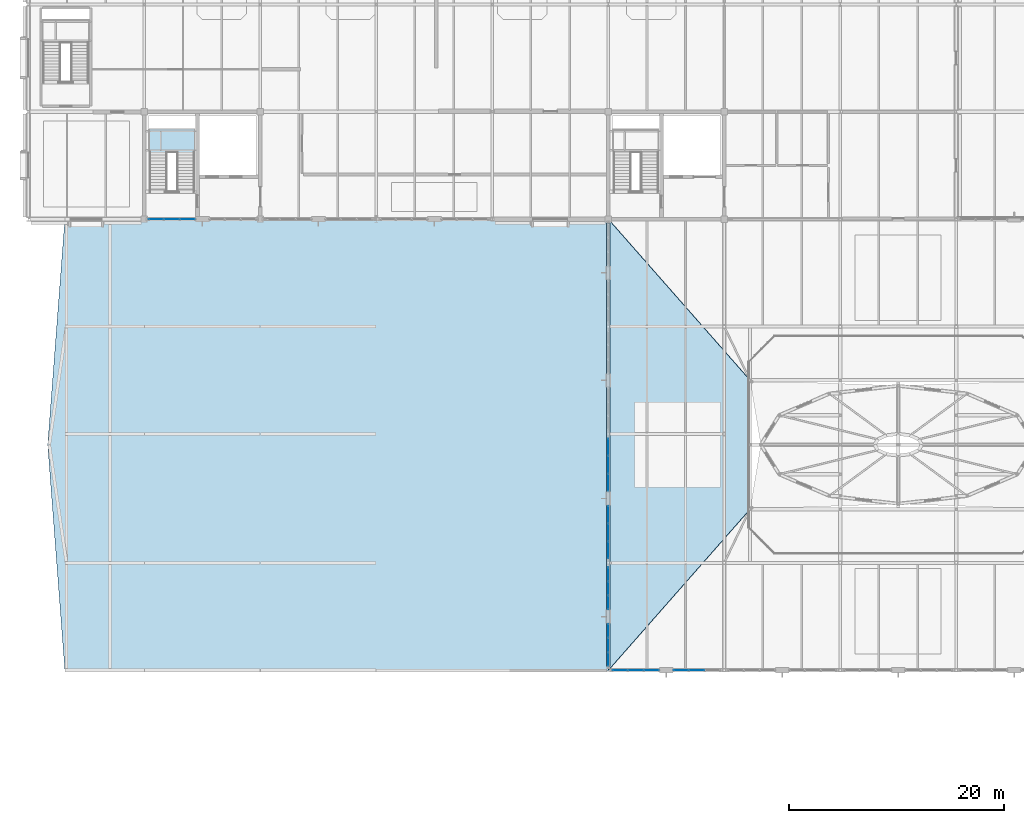
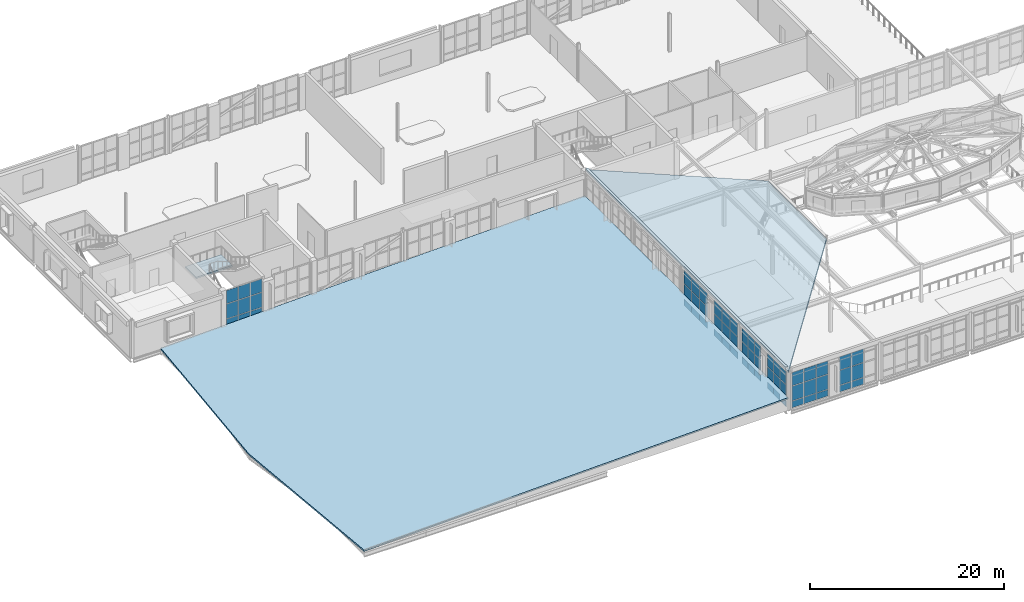
# One storey, part 58 of 86: 61 plates, 3 slabs, 8 elements without a shape of their own.
"""IFC4 building model written with IfcOpenShell, lengths in metres."""

from ifc_helpers import new_model, si_unit, direction, frame, origin, origin_2d, place, context, subcontext, project, spatial, polyline, rectangle, outline, extrude, material, layer, layer_set, type_object, element, aggregate, save


model = new_model("IFC4")

# Units and contexts
model_context = context("Model", 3, precision=1e-05, world=origin(), true_north=direction((0.0, 1.0)))
body_context = subcontext(model_context, "Body", "Model", "MODEL_VIEW")
ifc_project = project(units=[si_unit("LENGTHUNIT", "METRE"), si_unit("AREAUNIT", "SQUARE_METRE"), si_unit("VOLUMEUNIT", "CUBIC_METRE"), si_unit("PLANEANGLEUNIT", "RADIAN"), si_unit("MASSUNIT", "GRAM", prefix="KILO")], contexts=[model_context])

# Site, building, storey
site_placement = place(None, origin())
site = spatial("IfcSite", under=ifc_project, at=site_placement, CompositionType="ELEMENT")
building_placement = place(site_placement, origin())
building = spatial("IfcBuilding", under=site, at=building_placement, Name="Tasgan Crest Museum", CompositionType="ELEMENT")
storey_placement = place(building_placement, frame((0.0, 0.0, 24.0)))
storey = spatial("IfcBuildingStorey", under=building, at=storey_placement, Name="L04", CompositionType="ELEMENT", Elevation=24.0)

# Curtain wall, plates
ifc_material_1 = material(Name="Triple-Glazed Aluminium Curtain Wall", Category="aluminium")
ifc_layer_1 = layer(ifc_material_1, 0.179931640625, Name="CW-CORE-STRIP-48")
ifc_layer_set_1 = layer_set([ifc_layer_1], Name="Triple-Glazed Aluminium Curtain Wall")
curtain_wall_type_1 = type_object("IfcCurtainWallType", Name="CW-CORE-STRIP-48", PredefinedType="NOTDEFINED", material=ifc_layer_set_1)
curtain_wall_1_placement = place(storey_placement, origin())
curtain_wall_1 = element("IfcCurtainWall", 1, at=curtain_wall_1_placement, inside=storey, type_object=curtain_wall_type_1, Name="Curtain wall L04 171", PredefinedType="NOTDEFINED")
ifc_material_2 = material(Name="Insulated Spandrel Glass", Category="glass")
ifc_layer_2 = layer(ifc_material_2, 0.052001953125, Name="CW-PANEL-SPANDREL")
ifc_layer_set_2 = layer_set([ifc_layer_2], Name="Insulated Spandrel Glass")
plate_type_1 = type_object("IfcPlateType", Name="CW-PANEL-SPANDREL", PredefinedType="CURTAIN_PANEL", material=ifc_layer_set_2)
plate_1_placement = place(storey_placement, frame((11.91162109375, 82.0, 0.06005859375), z_axis=(0.0, 0.0, 1.0), x_axis=(1.0, 0.0, 0.0)))
plate_1 = element("IfcPlate", 2, at=plate_1_placement, type_object=plate_type_1, Name="CW19 panel 1.1", PredefinedType="CURTAIN_PANEL", context=body_context, shape_type="SweptSolid", body=[
    extrude(rectangle(XDim=1.373291015625, YDim=0.028076171875, at=origin_2d()), origin(), (0.0, 0.0, 1.0), 0.81005859375),
])
plate_2_placement = place(storey_placement, frame((13.360107421875, 82.0, 0.06005859375), z_axis=(0.0, 0.0, 1.0), x_axis=(1.0, 0.0, 0.0)))
plate_2 = element("IfcPlate", 3, at=plate_2_placement, type_object=plate_type_1, Name="CW19 panel 2.1", PredefinedType="CURTAIN_PANEL", context=body_context, shape_type="SweptSolid", body=[
    extrude(rectangle(XDim=1.4033203125, YDim=0.028076171875, at=origin_2d()), origin(), (0.0, 0.0, 1.0), 0.81005859375),
])
plate_3_placement = place(storey_placement, frame((14.808349609375, 82.0, 0.06005859375), z_axis=(0.0, 0.0, 1.0), x_axis=(1.0, 0.0, 0.0)))
plate_3 = element("IfcPlate", 4, at=plate_3_placement, type_object=plate_type_1, Name="CW19 panel 3.1", PredefinedType="CURTAIN_PANEL", context=body_context, shape_type="SweptSolid", body=[
    extrude(rectangle(XDim=1.373291015625, YDim=0.028076171875, at=origin_2d()), origin(), (0.0, 0.0, 1.0), 0.81005859375),
])

ifc_material_3 = material(Name="Triple-Glazed Aluminium Curtain Wall", Category="aluminium")
ifc_layer_3 = layer(ifc_material_3, 0.179931640625, Name="CW-DRUM-Y12-48")
ifc_layer_set_3 = layer_set([ifc_layer_3], Name="Triple-Glazed Aluminium Curtain Wall")
curtain_wall_type_2 = type_object("IfcCurtainWallType", Name="CW-DRUM-Y12-48", PredefinedType="NOTDEFINED", material=ifc_layer_set_3)
curtain_wall_2_placement = place(storey_placement, origin())
curtain_wall_2 = element("IfcCurtainWall", 5, at=curtain_wall_2_placement, inside=storey, type_object=curtain_wall_type_2, Name="Curtain wall L04 181", PredefinedType="NOTDEFINED")
plate_4_placement = place(storey_placement, frame((54.0, 60.788330078125, 0.06005859375), z_axis=(0.0, 0.0, 1.0), x_axis=(0.0, -1.0, 0.0)))
plate_4 = element("IfcPlate", 6, at=plate_4_placement, type_object=plate_type_1, Name="CW05 panel 1.1", PredefinedType="CURTAIN_PANEL", context=body_context, shape_type="SweptSolid", body=[
    extrude(rectangle(XDim=1.5732421875, YDim=0.028076171875, at=origin_2d()), origin(), (0.0, 0.0, 1.0), 0.81005859375),
])
plate_5_placement = place(storey_placement, frame((54.0, 59.139892578125, 0.06005859375), z_axis=(0.0, 0.0, 1.0), x_axis=(0.0, -1.0, 0.0)))
plate_5 = element("IfcPlate", 7, at=plate_5_placement, type_object=plate_type_1, Name="CW05 panel 2.1", PredefinedType="CURTAIN_PANEL", context=body_context, shape_type="SweptSolid", body=[
    extrude(rectangle(XDim=1.603271484375, YDim=0.028076171875, at=origin_2d()), origin(), (0.0, 0.0, 1.0), 0.81005859375),
])
plate_6_placement = place(storey_placement, frame((54.0, 57.49169921875, 0.06005859375), z_axis=(0.0, 0.0, 1.0), x_axis=(0.0, -1.0, 0.0)))
plate_6 = element("IfcPlate", 8, at=plate_6_placement, type_object=plate_type_1, Name="CW05 panel 3.1", PredefinedType="CURTAIN_PANEL", context=body_context, shape_type="SweptSolid", body=[
    extrude(rectangle(XDim=1.5732421875, YDim=0.028076171875, at=origin_2d()), origin(), (0.0, 0.0, 1.0), 0.81005859375),
])

curtain_wall_3_placement = place(storey_placement, origin())
curtain_wall_3 = element("IfcCurtainWall", 9, at=curtain_wall_3_placement, inside=storey, type_object=curtain_wall_type_2, Name="Curtain wall L04 182", PredefinedType="NOTDEFINED")
plate_7_placement = place(storey_placement, frame((54.0, 54.50830078125, 0.06005859375), z_axis=(0.0, 0.0, 1.0), x_axis=(0.0, -1.0, 0.0)))
plate_7 = element("IfcPlate", 10, at=plate_7_placement, type_object=plate_type_1, Name="CW05 panel 1.1", PredefinedType="CURTAIN_PANEL", context=body_context, shape_type="SweptSolid", body=[
    extrude(rectangle(XDim=1.5732421875, YDim=0.028076171875, at=origin_2d()), origin(), (0.0, 0.0, 1.0), 0.81005859375),
])
plate_8_placement = place(storey_placement, frame((54.0, 52.860107421875, 0.06005859375), z_axis=(0.0, 0.0, 1.0), x_axis=(0.0, -1.0, 0.0)))
plate_8 = element("IfcPlate", 11, at=plate_8_placement, type_object=plate_type_1, Name="CW05 panel 2.1", PredefinedType="CURTAIN_PANEL", context=body_context, shape_type="SweptSolid", body=[
    extrude(rectangle(XDim=1.603271484375, YDim=0.028076171875, at=origin_2d()), origin(), (0.0, 0.0, 1.0), 0.81005859375),
])
plate_9_placement = place(storey_placement, frame((54.0, 51.211669921875, 0.06005859375), z_axis=(0.0, 0.0, 1.0), x_axis=(0.0, -1.0, 0.0)))
plate_9 = element("IfcPlate", 12, at=plate_9_placement, type_object=plate_type_1, Name="CW05 panel 3.1", PredefinedType="CURTAIN_PANEL", context=body_context, shape_type="SweptSolid", body=[
    extrude(rectangle(XDim=1.5732421875, YDim=0.028076171875, at=origin_2d()), origin(), (0.0, 0.0, 1.0), 0.81005859375),
])

ifc_material_4 = material(Name="Triple-Glazed Aluminium Curtain Wall", Category="aluminium")
ifc_layer_4 = layer(ifc_material_4, 0.179931640625, Name="CW-DRUM-Y10-48")
ifc_layer_set_4 = layer_set([ifc_layer_4], Name="Triple-Glazed Aluminium Curtain Wall")
curtain_wall_type_3 = type_object("IfcCurtainWallType", Name="CW-DRUM-Y10-48", PredefinedType="NOTDEFINED", material=ifc_layer_set_4)
curtain_wall_4_placement = place(storey_placement, origin())
curtain_wall_4 = element("IfcCurtainWall", 13, at=curtain_wall_4_placement, inside=storey, type_object=curtain_wall_type_3, Name="Curtain wall L04 183", PredefinedType="NOTDEFINED")
plate_10_placement = place(storey_placement, frame((54.0, 48.955078125, 0.06005859375), z_axis=(0.0, 0.0, 1.0), x_axis=(0.0, -1.0, 0.0)))
plate_10 = element("IfcPlate", 14, at=plate_10_placement, type_object=plate_type_1, Name="CW04 panel 1.1", PredefinedType="CURTAIN_PANEL", context=body_context, shape_type="SweptSolid", body=[
    extrude(rectangle(XDim=1.239990234375, YDim=0.028076171875, at=origin_2d()), origin(), (0.0, 0.0, 1.0), 0.81005859375),
])
plate_11_placement = place(storey_placement, frame((54.0, 47.639892578125, 0.06005859375), z_axis=(0.0, 0.0, 1.0), x_axis=(0.0, -1.0, 0.0)))
plate_11 = element("IfcPlate", 15, at=plate_11_placement, type_object=plate_type_1, Name="CW04 panel 2.1", PredefinedType="CURTAIN_PANEL", context=body_context, shape_type="SweptSolid", body=[
    extrude(rectangle(XDim=1.27001953125, YDim=0.028076171875, at=origin_2d()), origin(), (0.0, 0.0, 1.0), 0.81005859375),
])
plate_12_placement = place(storey_placement, frame((54.0, 46.324951171875, 0.06005859375), z_axis=(0.0, 0.0, 1.0), x_axis=(0.0, -1.0, 0.0)))
plate_12 = element("IfcPlate", 16, at=plate_12_placement, type_object=plate_type_1, Name="CW04 panel 3.1", PredefinedType="CURTAIN_PANEL", context=body_context, shape_type="SweptSolid", body=[
    extrude(rectangle(XDim=1.239990234375, YDim=0.028076171875, at=origin_2d()), origin(), (0.0, 0.0, 1.0), 0.81005859375),
])

curtain_wall_5_placement = place(storey_placement, origin())
curtain_wall_5 = element("IfcCurtainWall", 17, at=curtain_wall_5_placement, inside=storey, type_object=curtain_wall_type_3, Name="Curtain wall L04 184", PredefinedType="NOTDEFINED")
plate_13_placement = place(storey_placement, frame((54.0, 43.675048828125, 0.06005859375), z_axis=(0.0, 0.0, 1.0), x_axis=(0.0, -1.0, 0.0)))
plate_13 = element("IfcPlate", 18, at=plate_13_placement, type_object=plate_type_1, Name="CW04 panel 1.1", PredefinedType="CURTAIN_PANEL", context=body_context, shape_type="SweptSolid", body=[
    extrude(rectangle(XDim=1.239990234375, YDim=0.028076171875, at=origin_2d()), origin(), (0.0, 0.0, 1.0), 0.81005859375),
])
plate_14_placement = place(storey_placement, frame((54.0, 42.360107421875, 0.06005859375), z_axis=(0.0, 0.0, 1.0), x_axis=(0.0, -1.0, 0.0)))
plate_14 = element("IfcPlate", 19, at=plate_14_placement, type_object=plate_type_1, Name="CW04 panel 2.1", PredefinedType="CURTAIN_PANEL", context=body_context, shape_type="SweptSolid", body=[
    extrude(rectangle(XDim=1.27001953125, YDim=0.028076171875, at=origin_2d()), origin(), (0.0, 0.0, 1.0), 0.81005859375),
])
plate_15_placement = place(storey_placement, frame((54.0, 41.044921875, 0.06005859375), z_axis=(0.0, 0.0, 1.0), x_axis=(0.0, -1.0, 0.0)))
plate_15 = element("IfcPlate", 20, at=plate_15_placement, type_object=plate_type_1, Name="CW04 panel 3.1", PredefinedType="CURTAIN_PANEL", context=body_context, shape_type="SweptSolid", body=[
    extrude(rectangle(XDim=1.239990234375, YDim=0.028076171875, at=origin_2d()), origin(), (0.0, 0.0, 1.0), 0.81005859375),
])

ifc_material_5 = material(Name="Triple-Glazed Aluminium Curtain Wall", Category="aluminium")
ifc_layer_5 = layer(ifc_material_5, 0.179931640625, Name="CW-DRUM-X-48")
ifc_layer_set_5 = layer_set([ifc_layer_5], Name="Triple-Glazed Aluminium Curtain Wall")
curtain_wall_type_4 = type_object("IfcCurtainWallType", Name="CW-DRUM-X-48", PredefinedType="NOTDEFINED", material=ifc_layer_set_5)
curtain_wall_6_placement = place(storey_placement, origin())
curtain_wall_6 = element("IfcCurtainWall", 21, at=curtain_wall_6_placement, inside=storey, type_object=curtain_wall_type_4, Name="Curtain wall L04 185", PredefinedType="NOTDEFINED")
plate_16_placement = place(storey_placement, frame((55.111572265625, 40.0, 0.06005859375), z_axis=(0.0, 0.0, 1.0), x_axis=(1.0, 0.0, 0.0)))
plate_16 = element("IfcPlate", 22, at=plate_16_placement, type_object=plate_type_1, Name="CW03 panel 1.1", PredefinedType="CURTAIN_PANEL", context=body_context, shape_type="SweptSolid", body=[
    extrude(rectangle(XDim=1.373291015625, YDim=0.028076171875, at=origin_2d()), origin(), (0.0, 0.0, 1.0), 0.81005859375),
])
plate_17_placement = place(storey_placement, frame((56.56005859375, 40.0, 0.06005859375), z_axis=(0.0, 0.0, 1.0), x_axis=(1.0, 0.0, 0.0)))
plate_17 = element("IfcPlate", 23, at=plate_17_placement, type_object=plate_type_1, Name="CW03 panel 2.1", PredefinedType="CURTAIN_PANEL", context=body_context, shape_type="SweptSolid", body=[
    extrude(rectangle(XDim=1.4033203125, YDim=0.028076171875, at=origin_2d()), origin(), (0.0, 0.0, 1.0), 0.81005859375),
])
plate_18_placement = place(storey_placement, frame((58.00830078125, 40.0, 0.06005859375), z_axis=(0.0, 0.0, 1.0), x_axis=(1.0, 0.0, 0.0)))
plate_18 = element("IfcPlate", 24, at=plate_18_placement, type_object=plate_type_1, Name="CW03 panel 3.1", PredefinedType="CURTAIN_PANEL", context=body_context, shape_type="SweptSolid", body=[
    extrude(rectangle(XDim=1.373291015625, YDim=0.028076171875, at=origin_2d()), origin(), (0.0, 0.0, 1.0), 0.81005859375),
])

curtain_wall_7_placement = place(storey_placement, origin())
curtain_wall_7 = element("IfcCurtainWall", 25, at=curtain_wall_7_placement, inside=storey, type_object=curtain_wall_type_4, Name="Curtain wall L04 186", PredefinedType="NOTDEFINED")
plate_19_placement = place(storey_placement, frame((60.791748046875, 40.0, 0.06005859375), z_axis=(0.0, 0.0, 1.0), x_axis=(1.0, 0.0, 0.0)))
plate_19 = element("IfcPlate", 26, at=plate_19_placement, type_object=plate_type_1, Name="CW03 panel 1.1", PredefinedType="CURTAIN_PANEL", context=body_context, shape_type="SweptSolid", body=[
    extrude(rectangle(XDim=1.373291015625, YDim=0.028076171875, at=origin_2d()), origin(), (0.0, 0.0, 1.0), 0.81005859375),
])
plate_20_placement = place(storey_placement, frame((62.239990234375, 40.0, 0.06005859375), z_axis=(0.0, 0.0, 1.0), x_axis=(1.0, 0.0, 0.0)))
plate_20 = element("IfcPlate", 27, at=plate_20_placement, type_object=plate_type_1, Name="CW03 panel 2.1", PredefinedType="CURTAIN_PANEL", context=body_context, shape_type="SweptSolid", body=[
    extrude(rectangle(XDim=1.4033203125, YDim=0.028076171875, at=origin_2d()), origin(), (0.0, 0.0, 1.0), 0.81005859375),
])

# Plate
ifc_material_6 = material(Name="Low-E Triple Glazing", Category="glass")
ifc_layer_6 = layer(ifc_material_6, 0.0439453125, Name="CW-PANEL-TRIPLE")
ifc_layer_set_6 = layer_set([ifc_layer_6], Name="Low-E Triple Glazing")
plate_type_2 = type_object("IfcPlateType", Name="CW-PANEL-TRIPLE", PredefinedType="CURTAIN_PANEL", material=ifc_layer_set_6)
plate_21_placement = place(storey_placement, frame((11.91162109375, 82.0, 0.93017578125), z_axis=(0.0, 0.0, 1.0), x_axis=(1.0, 0.0, 0.0)))
plate_21 = element("IfcPlate", 28, at=plate_21_placement, type_object=plate_type_2, Name="CW19 panel 1.2", PredefinedType="CURTAIN_PANEL", context=body_context, shape_type="SweptSolid", body=[
    extrude(rectangle(XDim=1.373291015625, YDim=0.028076171875, at=origin_2d()), origin(), (0.0, 0.0, 1.0), 1.840087890625),
])

plate_22_placement = place(storey_placement, frame((11.91162109375, 82.0, 2.830078125), z_axis=(0.0, 0.0, 1.0), x_axis=(1.0, 0.0, 0.0)))
plate_22 = element("IfcPlate", 29, at=plate_22_placement, type_object=plate_type_2, Name="CW19 panel 1.3", PredefinedType="CURTAIN_PANEL", context=body_context, shape_type="SweptSolid", body=[
    extrude(rectangle(XDim=1.373291015625, YDim=0.028076171875, at=origin_2d()), origin(), (0.0, 0.0, 1.0), 1.669921875),
])

plate_23_placement = place(storey_placement, frame((13.360107421875, 82.0, 0.93017578125), z_axis=(0.0, 0.0, 1.0), x_axis=(1.0, 0.0, 0.0)))
plate_23 = element("IfcPlate", 30, at=plate_23_placement, type_object=plate_type_2, Name="CW19 panel 2.2", PredefinedType="CURTAIN_PANEL", context=body_context, shape_type="SweptSolid", body=[
    extrude(rectangle(XDim=1.4033203125, YDim=0.028076171875, at=origin_2d()), origin(), (0.0, 0.0, 1.0), 1.840087890625),
])

plate_24_placement = place(storey_placement, frame((13.360107421875, 82.0, 2.830078125), z_axis=(0.0, 0.0, 1.0), x_axis=(1.0, 0.0, 0.0)))
plate_24 = element("IfcPlate", 31, at=plate_24_placement, type_object=plate_type_2, Name="CW19 panel 2.3", PredefinedType="CURTAIN_PANEL", context=body_context, shape_type="SweptSolid", body=[
    extrude(rectangle(XDim=1.4033203125, YDim=0.028076171875, at=origin_2d()), origin(), (0.0, 0.0, 1.0), 1.669921875),
])

plate_25_placement = place(storey_placement, frame((14.808349609375, 82.0, 0.93017578125), z_axis=(0.0, 0.0, 1.0), x_axis=(1.0, 0.0, 0.0)))
plate_25 = element("IfcPlate", 32, at=plate_25_placement, type_object=plate_type_2, Name="CW19 panel 3.2", PredefinedType="CURTAIN_PANEL", context=body_context, shape_type="SweptSolid", body=[
    extrude(rectangle(XDim=1.373291015625, YDim=0.028076171875, at=origin_2d()), origin(), (0.0, 0.0, 1.0), 1.840087890625),
])

plate_26_placement = place(storey_placement, frame((14.808349609375, 82.0, 2.830078125), z_axis=(0.0, 0.0, 1.0), x_axis=(1.0, 0.0, 0.0)))
plate_26 = element("IfcPlate", 33, at=plate_26_placement, type_object=plate_type_2, Name="CW19 panel 3.3", PredefinedType="CURTAIN_PANEL", context=body_context, shape_type="SweptSolid", body=[
    extrude(rectangle(XDim=1.373291015625, YDim=0.028076171875, at=origin_2d()), origin(), (0.0, 0.0, 1.0), 1.669921875),
])

aggregate(curtain_wall_1, [plate_1, plate_21, plate_22, plate_2, plate_23, plate_24, plate_3, plate_25, plate_26])

plate_27_placement = place(storey_placement, frame((54.0, 60.788330078125, 0.93017578125), z_axis=(0.0, 0.0, 1.0), x_axis=(0.0, -1.0, 0.0)))
plate_27 = element("IfcPlate", 34, at=plate_27_placement, type_object=plate_type_2, Name="CW05 panel 1.2", PredefinedType="CURTAIN_PANEL", context=body_context, shape_type="SweptSolid", body=[
    extrude(rectangle(XDim=1.5732421875, YDim=0.028076171875, at=origin_2d()), origin(), (0.0, 0.0, 1.0), 1.840087890625),
])

plate_28_placement = place(storey_placement, frame((54.0, 60.788330078125, 2.830078125), z_axis=(0.0, 0.0, 1.0), x_axis=(0.0, -1.0, 0.0)))
plate_28 = element("IfcPlate", 35, at=plate_28_placement, type_object=plate_type_2, Name="CW05 panel 1.3", PredefinedType="CURTAIN_PANEL", context=body_context, shape_type="SweptSolid", body=[
    extrude(rectangle(XDim=1.5732421875, YDim=0.028076171875, at=origin_2d()), origin(), (0.0, 0.0, 1.0), 1.669921875),
])

plate_29_placement = place(storey_placement, frame((54.0, 59.139892578125, 0.93017578125), z_axis=(0.0, 0.0, 1.0), x_axis=(0.0, -1.0, 0.0)))
plate_29 = element("IfcPlate", 36, at=plate_29_placement, type_object=plate_type_2, Name="CW05 panel 2.2", PredefinedType="CURTAIN_PANEL", context=body_context, shape_type="SweptSolid", body=[
    extrude(rectangle(XDim=1.603271484375, YDim=0.028076171875, at=origin_2d()), origin(), (0.0, 0.0, 1.0), 1.840087890625),
])

plate_30_placement = place(storey_placement, frame((54.0, 59.139892578125, 2.830078125), z_axis=(0.0, 0.0, 1.0), x_axis=(0.0, -1.0, 0.0)))
plate_30 = element("IfcPlate", 37, at=plate_30_placement, type_object=plate_type_2, Name="CW05 panel 2.3", PredefinedType="CURTAIN_PANEL", context=body_context, shape_type="SweptSolid", body=[
    extrude(rectangle(XDim=1.603271484375, YDim=0.028076171875, at=origin_2d()), origin(), (0.0, 0.0, 1.0), 1.669921875),
])

plate_31_placement = place(storey_placement, frame((54.0, 57.49169921875, 0.93017578125), z_axis=(0.0, 0.0, 1.0), x_axis=(0.0, -1.0, 0.0)))
plate_31 = element("IfcPlate", 38, at=plate_31_placement, type_object=plate_type_2, Name="CW05 panel 3.2", PredefinedType="CURTAIN_PANEL", context=body_context, shape_type="SweptSolid", body=[
    extrude(rectangle(XDim=1.5732421875, YDim=0.028076171875, at=origin_2d()), origin(), (0.0, 0.0, 1.0), 1.840087890625),
])

plate_32_placement = place(storey_placement, frame((54.0, 57.49169921875, 2.830078125), z_axis=(0.0, 0.0, 1.0), x_axis=(0.0, -1.0, 0.0)))
plate_32 = element("IfcPlate", 39, at=plate_32_placement, type_object=plate_type_2, Name="CW05 panel 3.3", PredefinedType="CURTAIN_PANEL", context=body_context, shape_type="SweptSolid", body=[
    extrude(rectangle(XDim=1.5732421875, YDim=0.028076171875, at=origin_2d()), origin(), (0.0, 0.0, 1.0), 1.669921875),
])

aggregate(curtain_wall_2, [plate_4, plate_27, plate_28, plate_5, plate_29, plate_30, plate_6, plate_31, plate_32])

plate_33_placement = place(storey_placement, frame((54.0, 54.50830078125, 0.93017578125), z_axis=(0.0, 0.0, 1.0), x_axis=(0.0, -1.0, 0.0)))
plate_33 = element("IfcPlate", 40, at=plate_33_placement, type_object=plate_type_2, Name="CW05 panel 1.2", PredefinedType="CURTAIN_PANEL", context=body_context, shape_type="SweptSolid", body=[
    extrude(rectangle(XDim=1.5732421875, YDim=0.028076171875, at=origin_2d()), origin(), (0.0, 0.0, 1.0), 1.840087890625),
])

plate_34_placement = place(storey_placement, frame((54.0, 54.50830078125, 2.830078125), z_axis=(0.0, 0.0, 1.0), x_axis=(0.0, -1.0, 0.0)))
plate_34 = element("IfcPlate", 41, at=plate_34_placement, type_object=plate_type_2, Name="CW05 panel 1.3", PredefinedType="CURTAIN_PANEL", context=body_context, shape_type="SweptSolid", body=[
    extrude(rectangle(XDim=1.5732421875, YDim=0.028076171875, at=origin_2d()), origin(), (0.0, 0.0, 1.0), 1.669921875),
])

plate_35_placement = place(storey_placement, frame((54.0, 52.860107421875, 0.93017578125), z_axis=(0.0, 0.0, 1.0), x_axis=(0.0, -1.0, 0.0)))
plate_35 = element("IfcPlate", 42, at=plate_35_placement, type_object=plate_type_2, Name="CW05 panel 2.2", PredefinedType="CURTAIN_PANEL", context=body_context, shape_type="SweptSolid", body=[
    extrude(rectangle(XDim=1.603271484375, YDim=0.028076171875, at=origin_2d()), origin(), (0.0, 0.0, 1.0), 1.840087890625),
])

plate_36_placement = place(storey_placement, frame((54.0, 52.860107421875, 2.830078125), z_axis=(0.0, 0.0, 1.0), x_axis=(0.0, -1.0, 0.0)))
plate_36 = element("IfcPlate", 43, at=plate_36_placement, type_object=plate_type_2, Name="CW05 panel 2.3", PredefinedType="CURTAIN_PANEL", context=body_context, shape_type="SweptSolid", body=[
    extrude(rectangle(XDim=1.603271484375, YDim=0.028076171875, at=origin_2d()), origin(), (0.0, 0.0, 1.0), 1.669921875),
])

plate_37_placement = place(storey_placement, frame((54.0, 51.211669921875, 0.93017578125), z_axis=(0.0, 0.0, 1.0), x_axis=(0.0, -1.0, 0.0)))
plate_37 = element("IfcPlate", 44, at=plate_37_placement, type_object=plate_type_2, Name="CW05 panel 3.2", PredefinedType="CURTAIN_PANEL", context=body_context, shape_type="SweptSolid", body=[
    extrude(rectangle(XDim=1.5732421875, YDim=0.028076171875, at=origin_2d()), origin(), (0.0, 0.0, 1.0), 1.840087890625),
])

plate_38_placement = place(storey_placement, frame((54.0, 51.211669921875, 2.830078125), z_axis=(0.0, 0.0, 1.0), x_axis=(0.0, -1.0, 0.0)))
plate_38 = element("IfcPlate", 45, at=plate_38_placement, type_object=plate_type_2, Name="CW05 panel 3.3", PredefinedType="CURTAIN_PANEL", context=body_context, shape_type="SweptSolid", body=[
    extrude(rectangle(XDim=1.5732421875, YDim=0.028076171875, at=origin_2d()), origin(), (0.0, 0.0, 1.0), 1.669921875),
])

aggregate(curtain_wall_3, [plate_7, plate_33, plate_34, plate_8, plate_35, plate_36, plate_9, plate_37, plate_38])

plate_39_placement = place(storey_placement, frame((54.0, 48.955078125, 0.93017578125), z_axis=(0.0, 0.0, 1.0), x_axis=(0.0, -1.0, 0.0)))
plate_39 = element("IfcPlate", 46, at=plate_39_placement, type_object=plate_type_2, Name="CW04 panel 1.2", PredefinedType="CURTAIN_PANEL", context=body_context, shape_type="SweptSolid", body=[
    extrude(rectangle(XDim=1.239990234375, YDim=0.028076171875, at=origin_2d()), origin(), (0.0, 0.0, 1.0), 1.840087890625),
])

plate_40_placement = place(storey_placement, frame((54.0, 48.955078125, 2.830078125), z_axis=(0.0, 0.0, 1.0), x_axis=(0.0, -1.0, 0.0)))
plate_40 = element("IfcPlate", 47, at=plate_40_placement, type_object=plate_type_2, Name="CW04 panel 1.3", PredefinedType="CURTAIN_PANEL", context=body_context, shape_type="SweptSolid", body=[
    extrude(rectangle(XDim=1.239990234375, YDim=0.028076171875, at=origin_2d()), origin(), (0.0, 0.0, 1.0), 1.669921875),
])

plate_41_placement = place(storey_placement, frame((54.0, 47.639892578125, 0.93017578125), z_axis=(0.0, 0.0, 1.0), x_axis=(0.0, -1.0, 0.0)))
plate_41 = element("IfcPlate", 48, at=plate_41_placement, type_object=plate_type_2, Name="CW04 panel 2.2", PredefinedType="CURTAIN_PANEL", context=body_context, shape_type="SweptSolid", body=[
    extrude(rectangle(XDim=1.27001953125, YDim=0.028076171875, at=origin_2d()), origin(), (0.0, 0.0, 1.0), 1.840087890625),
])

plate_42_placement = place(storey_placement, frame((54.0, 47.639892578125, 2.830078125), z_axis=(0.0, 0.0, 1.0), x_axis=(0.0, -1.0, 0.0)))
plate_42 = element("IfcPlate", 49, at=plate_42_placement, type_object=plate_type_2, Name="CW04 panel 2.3", PredefinedType="CURTAIN_PANEL", context=body_context, shape_type="SweptSolid", body=[
    extrude(rectangle(XDim=1.27001953125, YDim=0.028076171875, at=origin_2d()), origin(), (0.0, 0.0, 1.0), 1.669921875),
])

plate_43_placement = place(storey_placement, frame((54.0, 46.324951171875, 0.93017578125), z_axis=(0.0, 0.0, 1.0), x_axis=(0.0, -1.0, 0.0)))
plate_43 = element("IfcPlate", 50, at=plate_43_placement, type_object=plate_type_2, Name="CW04 panel 3.2", PredefinedType="CURTAIN_PANEL", context=body_context, shape_type="SweptSolid", body=[
    extrude(rectangle(XDim=1.239990234375, YDim=0.028076171875, at=origin_2d()), origin(), (0.0, 0.0, 1.0), 1.840087890625),
])

plate_44_placement = place(storey_placement, frame((54.0, 46.324951171875, 2.830078125), z_axis=(0.0, 0.0, 1.0), x_axis=(0.0, -1.0, 0.0)))
plate_44 = element("IfcPlate", 51, at=plate_44_placement, type_object=plate_type_2, Name="CW04 panel 3.3", PredefinedType="CURTAIN_PANEL", context=body_context, shape_type="SweptSolid", body=[
    extrude(rectangle(XDim=1.239990234375, YDim=0.028076171875, at=origin_2d()), origin(), (0.0, 0.0, 1.0), 1.669921875),
])

aggregate(curtain_wall_4, [plate_10, plate_39, plate_40, plate_11, plate_41, plate_42, plate_12, plate_43, plate_44])

plate_45_placement = place(storey_placement, frame((54.0, 43.675048828125, 0.93017578125), z_axis=(0.0, 0.0, 1.0), x_axis=(0.0, -1.0, 0.0)))
plate_45 = element("IfcPlate", 52, at=plate_45_placement, type_object=plate_type_2, Name="CW04 panel 1.2", PredefinedType="CURTAIN_PANEL", context=body_context, shape_type="SweptSolid", body=[
    extrude(rectangle(XDim=1.239990234375, YDim=0.028076171875, at=origin_2d()), origin(), (0.0, 0.0, 1.0), 1.840087890625),
])

plate_46_placement = place(storey_placement, frame((54.0, 43.675048828125, 2.830078125), z_axis=(0.0, 0.0, 1.0), x_axis=(0.0, -1.0, 0.0)))
plate_46 = element("IfcPlate", 53, at=plate_46_placement, type_object=plate_type_2, Name="CW04 panel 1.3", PredefinedType="CURTAIN_PANEL", context=body_context, shape_type="SweptSolid", body=[
    extrude(rectangle(XDim=1.239990234375, YDim=0.028076171875, at=origin_2d()), origin(), (0.0, 0.0, 1.0), 1.669921875),
])

plate_47_placement = place(storey_placement, frame((54.0, 42.360107421875, 0.93017578125), z_axis=(0.0, 0.0, 1.0), x_axis=(0.0, -1.0, 0.0)))
plate_47 = element("IfcPlate", 54, at=plate_47_placement, type_object=plate_type_2, Name="CW04 panel 2.2", PredefinedType="CURTAIN_PANEL", context=body_context, shape_type="SweptSolid", body=[
    extrude(rectangle(XDim=1.27001953125, YDim=0.028076171875, at=origin_2d()), origin(), (0.0, 0.0, 1.0), 1.840087890625),
])

plate_48_placement = place(storey_placement, frame((54.0, 42.360107421875, 2.830078125), z_axis=(0.0, 0.0, 1.0), x_axis=(0.0, -1.0, 0.0)))
plate_48 = element("IfcPlate", 55, at=plate_48_placement, type_object=plate_type_2, Name="CW04 panel 2.3", PredefinedType="CURTAIN_PANEL", context=body_context, shape_type="SweptSolid", body=[
    extrude(rectangle(XDim=1.27001953125, YDim=0.028076171875, at=origin_2d()), origin(), (0.0, 0.0, 1.0), 1.669921875),
])

plate_49_placement = place(storey_placement, frame((54.0, 41.044921875, 0.93017578125), z_axis=(0.0, 0.0, 1.0), x_axis=(0.0, -1.0, 0.0)))
plate_49 = element("IfcPlate", 56, at=plate_49_placement, type_object=plate_type_2, Name="CW04 panel 3.2", PredefinedType="CURTAIN_PANEL", context=body_context, shape_type="SweptSolid", body=[
    extrude(rectangle(XDim=1.239990234375, YDim=0.028076171875, at=origin_2d()), origin(), (0.0, 0.0, 1.0), 1.840087890625),
])

plate_50_placement = place(storey_placement, frame((54.0, 41.044921875, 2.830078125), z_axis=(0.0, 0.0, 1.0), x_axis=(0.0, -1.0, 0.0)))
plate_50 = element("IfcPlate", 57, at=plate_50_placement, type_object=plate_type_2, Name="CW04 panel 3.3", PredefinedType="CURTAIN_PANEL", context=body_context, shape_type="SweptSolid", body=[
    extrude(rectangle(XDim=1.239990234375, YDim=0.028076171875, at=origin_2d()), origin(), (0.0, 0.0, 1.0), 1.669921875),
])

aggregate(curtain_wall_5, [plate_13, plate_45, plate_46, plate_14, plate_47, plate_48, plate_15, plate_49, plate_50])

plate_51_placement = place(storey_placement, frame((55.111572265625, 40.0, 0.93017578125), z_axis=(0.0, 0.0, 1.0), x_axis=(1.0, 0.0, 0.0)))
plate_51 = element("IfcPlate", 58, at=plate_51_placement, type_object=plate_type_2, Name="CW03 panel 1.2", PredefinedType="CURTAIN_PANEL", context=body_context, shape_type="SweptSolid", body=[
    extrude(rectangle(XDim=1.373291015625, YDim=0.028076171875, at=origin_2d()), origin(), (0.0, 0.0, 1.0), 1.840087890625),
])

plate_52_placement = place(storey_placement, frame((55.111572265625, 40.0, 2.830078125), z_axis=(0.0, 0.0, 1.0), x_axis=(1.0, 0.0, 0.0)))
plate_52 = element("IfcPlate", 59, at=plate_52_placement, type_object=plate_type_2, Name="CW03 panel 1.3", PredefinedType="CURTAIN_PANEL", context=body_context, shape_type="SweptSolid", body=[
    extrude(rectangle(XDim=1.373291015625, YDim=0.028076171875, at=origin_2d()), origin(), (0.0, 0.0, 1.0), 1.669921875),
])

plate_53_placement = place(storey_placement, frame((56.56005859375, 40.0, 0.93017578125), z_axis=(0.0, 0.0, 1.0), x_axis=(1.0, 0.0, 0.0)))
plate_53 = element("IfcPlate", 60, at=plate_53_placement, type_object=plate_type_2, Name="CW03 panel 2.2", PredefinedType="CURTAIN_PANEL", context=body_context, shape_type="SweptSolid", body=[
    extrude(rectangle(XDim=1.4033203125, YDim=0.028076171875, at=origin_2d()), origin(), (0.0, 0.0, 1.0), 1.840087890625),
])

plate_54_placement = place(storey_placement, frame((56.56005859375, 40.0, 2.830078125), z_axis=(0.0, 0.0, 1.0), x_axis=(1.0, 0.0, 0.0)))
plate_54 = element("IfcPlate", 61, at=plate_54_placement, type_object=plate_type_2, Name="CW03 panel 2.3", PredefinedType="CURTAIN_PANEL", context=body_context, shape_type="SweptSolid", body=[
    extrude(rectangle(XDim=1.4033203125, YDim=0.028076171875, at=origin_2d()), origin(), (0.0, 0.0, 1.0), 1.669921875),
])

plate_55_placement = place(storey_placement, frame((58.00830078125, 40.0, 0.93017578125), z_axis=(0.0, 0.0, 1.0), x_axis=(1.0, 0.0, 0.0)))
plate_55 = element("IfcPlate", 62, at=plate_55_placement, type_object=plate_type_2, Name="CW03 panel 3.2", PredefinedType="CURTAIN_PANEL", context=body_context, shape_type="SweptSolid", body=[
    extrude(rectangle(XDim=1.373291015625, YDim=0.028076171875, at=origin_2d()), origin(), (0.0, 0.0, 1.0), 1.840087890625),
])

plate_56_placement = place(storey_placement, frame((58.00830078125, 40.0, 2.830078125), z_axis=(0.0, 0.0, 1.0), x_axis=(1.0, 0.0, 0.0)))
plate_56 = element("IfcPlate", 63, at=plate_56_placement, type_object=plate_type_2, Name="CW03 panel 3.3", PredefinedType="CURTAIN_PANEL", context=body_context, shape_type="SweptSolid", body=[
    extrude(rectangle(XDim=1.373291015625, YDim=0.028076171875, at=origin_2d()), origin(), (0.0, 0.0, 1.0), 1.669921875),
])

aggregate(curtain_wall_6, [plate_16, plate_51, plate_52, plate_17, plate_53, plate_54, plate_18, plate_55, plate_56])

plate_57_placement = place(storey_placement, frame((60.791748046875, 40.0, 0.93017578125), z_axis=(0.0, 0.0, 1.0), x_axis=(1.0, 0.0, 0.0)))
plate_57 = element("IfcPlate", 64, at=plate_57_placement, type_object=plate_type_2, Name="CW03 panel 1.2", PredefinedType="CURTAIN_PANEL", context=body_context, shape_type="SweptSolid", body=[
    extrude(rectangle(XDim=1.373291015625, YDim=0.028076171875, at=origin_2d()), origin(), (0.0, 0.0, 1.0), 1.840087890625),
])

plate_58_placement = place(storey_placement, frame((60.791748046875, 40.0, 2.830078125), z_axis=(0.0, 0.0, 1.0), x_axis=(1.0, 0.0, 0.0)))
plate_58 = element("IfcPlate", 65, at=plate_58_placement, type_object=plate_type_2, Name="CW03 panel 1.3", PredefinedType="CURTAIN_PANEL", context=body_context, shape_type="SweptSolid", body=[
    extrude(rectangle(XDim=1.373291015625, YDim=0.028076171875, at=origin_2d()), origin(), (0.0, 0.0, 1.0), 1.669921875),
])

plate_59_placement = place(storey_placement, frame((62.239990234375, 40.0, 0.93017578125), z_axis=(0.0, 0.0, 1.0), x_axis=(1.0, 0.0, 0.0)))
plate_59 = element("IfcPlate", 66, at=plate_59_placement, type_object=plate_type_2, Name="CW03 panel 2.2", PredefinedType="CURTAIN_PANEL", context=body_context, shape_type="SweptSolid", body=[
    extrude(rectangle(XDim=1.4033203125, YDim=0.028076171875, at=origin_2d()), origin(), (0.0, 0.0, 1.0), 1.840087890625),
])

plate_60_placement = place(storey_placement, frame((62.239990234375, 40.0, 2.830078125), z_axis=(0.0, 0.0, 1.0), x_axis=(1.0, 0.0, 0.0)))
plate_60 = element("IfcPlate", 67, at=plate_60_placement, type_object=plate_type_2, Name="CW03 panel 2.3", PredefinedType="CURTAIN_PANEL", context=body_context, shape_type="SweptSolid", body=[
    extrude(rectangle(XDim=1.4033203125, YDim=0.028076171875, at=origin_2d()), origin(), (0.0, 0.0, 1.0), 1.669921875),
])

aggregate(curtain_wall_7, [plate_19, plate_57, plate_58, plate_20, plate_59, plate_60])

ifc_material_7 = material(Name="Pre-weathered Zinc Sheet")
ifc_layer_7 = layer(ifc_material_7, 0.011962890625, Name="PL-FLASH-SHEET")
ifc_layer_set_7 = layer_set([ifc_layer_7], Name="Pre-weathered Zinc Sheet")
plate_type_3 = type_object("IfcPlateType", Name="PL-FLASH-SHEET", PredefinedType="SHEET", material=ifc_layer_set_7)
plate_61_placement = place(storey_placement, frame((54.0, 61.0, 5.14990234375), z_axis=(0.0, 0.0, 1.0), x_axis=(0.0, 1.0, 0.0)))
element("IfcPlate", 68, at=plate_61_placement, inside=storey, type_object=plate_type_3, Name="Zinc parapet coping L04 V2-W", PredefinedType="SHEET", context=body_context, shape_type="SweptSolid", body=[
    extrude(rectangle(XDim=41.300048828125, YDim=0.300048828125, at=origin_2d()), origin(), (0.0, 0.0, 1.0), 0.011962890625),
])

# Stair, slab
ifc_material_8 = material(Name="Concrete C35/45", Category="concrete")
stair_type = type_object("IfcStairType", Name="ST-CORE-48", PredefinedType="HALF_TURN_STAIR", material=ifc_material_8)
stair_placement = place(storey_placement, origin())
stair = element("IfcStair", 69, at=stair_placement, inside=storey, type_object=stair_type, Name="Stair ST-NW-L04 L04", PredefinedType="HALF_TURN_STAIR")
ifc_material_9 = material(Name="Concrete C35/45", Category="concrete")
ifc_layer_8 = layer(ifc_material_9, 0.199951171875, Name="SL-LAND-200")
ifc_layer_set_8 = layer_set([ifc_layer_8], Name="Concrete C35/45")
slab_type_1 = type_object("IfcSlabType", Name="SL-LAND-200", PredefinedType="LANDING", material=ifc_layer_set_8)
slab_1_placement = place(storey_placement, frame((0.0, 0.0, 2.199951171875)))
slab_1 = element("IfcSlab", 70, at=slab_1_placement, type_object=slab_type_1, Name="ST-NW-L04 landing 1", PredefinedType="LANDING", context=body_context, shape_type="SweptSolid", body=[
    extrude(outline(polyline([(11.219970703125, 88.205078125), (15.530029296875, 88.205078125), (15.530029296875, 90.455078125), (11.219970703125, 90.455078125), (11.219970703125, 88.205078125)])), origin(), (0.0, 0.0, 1.0), 0.199951171875),
])
aggregate(stair, [slab_1])

# Slabs
ifc_material_10 = material(Name="Concrete C35/45", Category="concrete")
ifc_layer_9 = layer(ifc_material_10, 0.199951171875, Name="SL-ROOF-200")
ifc_layer_set_9 = layer_set([ifc_layer_9], Name="Concrete C35/45")
slab_type_2 = type_object("IfcSlabType", Name="SL-ROOF-200", PredefinedType="ROOF", material=ifc_layer_set_9)
slab_2_placement = place(storey_placement, frame((3.39990234375, 40.0, 0.0), z_axis=(-0.029630581633, 0.0, 0.99956091792), x_axis=(0.99956091792, 0.0, 0.029630581633)))
element("IfcSlab", 71, at=slab_2_placement, inside=storey, type_object=slab_type_2, Name="West Paleontology Hall sloped snow-shedding roof", PredefinedType="ROOF", context=body_context, shape_type="SweptSolid", body=[
    extrude(outline(polyline([(0.0, 0.0), (50.62232593254751, 0.0), (50.62232593254751, 41.99999999999999), (0.0, 41.99999999999999), (-1.6005544501863622, 20.999999999999996), (0.0, 0.0)])), origin(), (0.0, 0.0, -1.0), 0.199951171875),
])
slab_3_placement = place(storey_placement, frame((54.0, 40.0, 4.800048828125), z_axis=(-0.221621883125, 0.0, 0.975132678624), x_axis=(0.653303872805, 0.742393510739, 0.148478702148)))
element("IfcSlab", 72, at=slab_3_placement, inside=storey, type_object=slab_type_2, Name="Winter-garden lantern west sloped roof", PredefinedType="ROOF", context=body_context, shape_type="SweptSolid", body=[
    extrude(outline(polyline([(0.0, 0.0), (20.204917988942302, 6.661338147750939e-16), (29.11364011780766, 8.039569020206537), (31.180527451028752, 28.138491570722884), (0.0, 0.0)])), origin(), (0.0, 0.0, -1.0), 0.199951171875),
])

save(model, "model.ifc")
